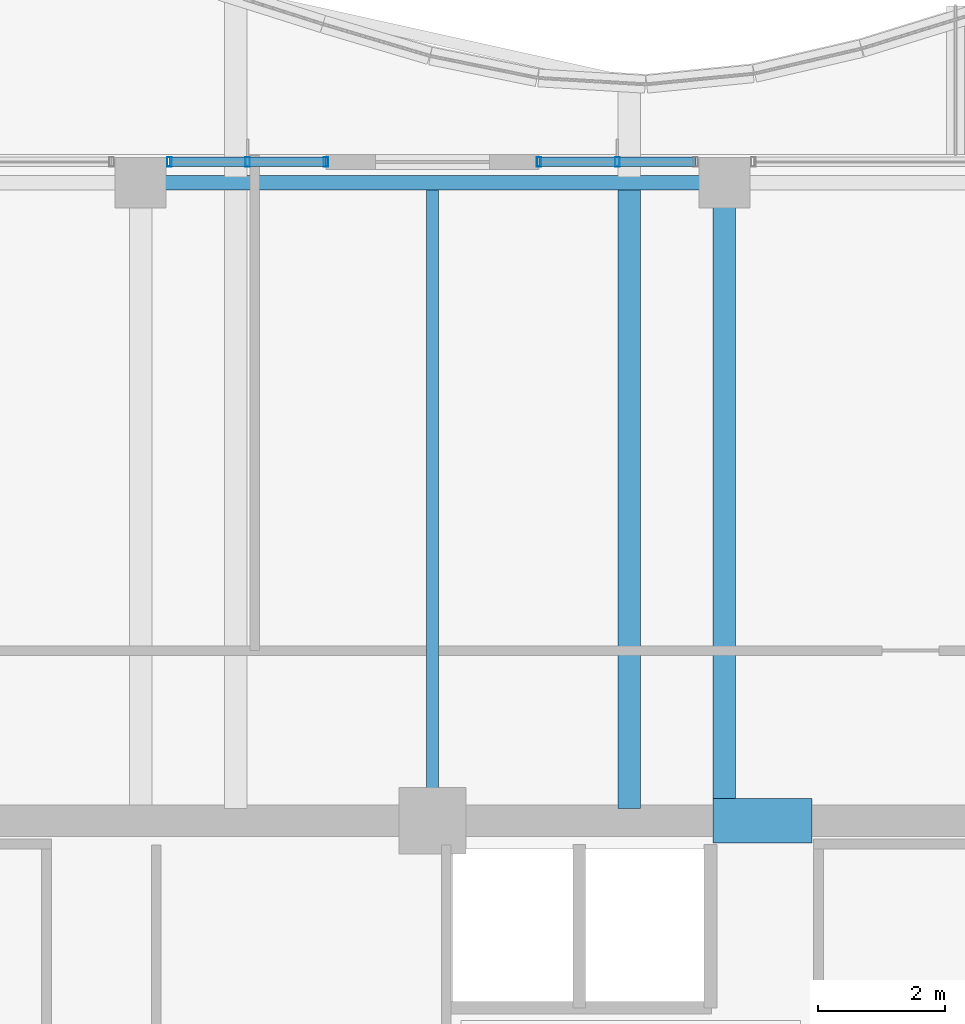
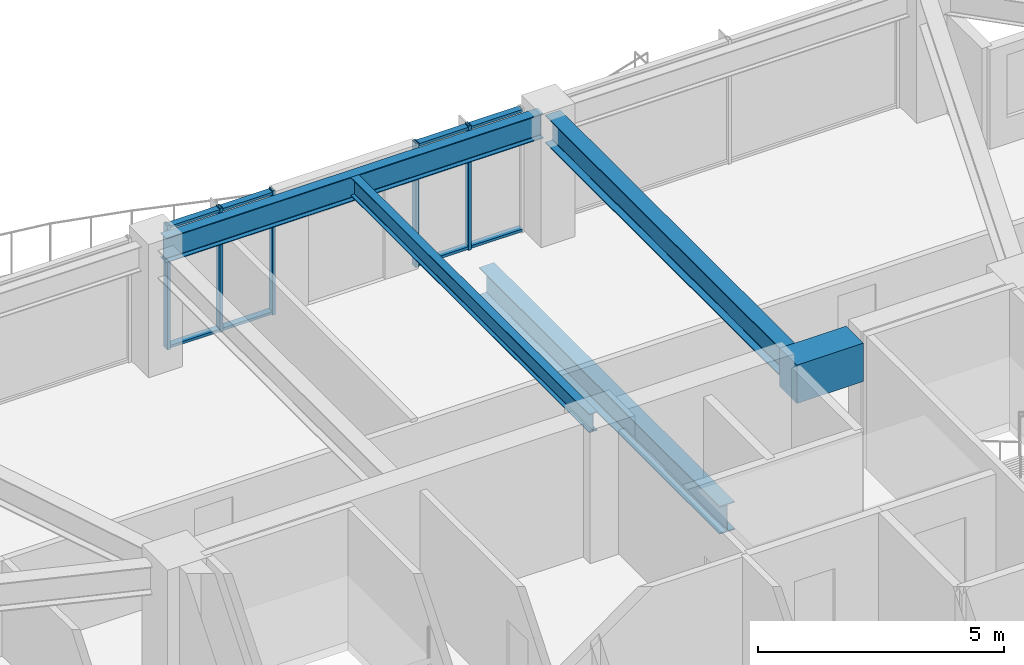
# One storey, part 17 of 36: 9 members, 5 beams, 2 elements without a shape of their own.
"""IFC4 building model written with IfcOpenShell, lengths in metres."""

from ifc_helpers import new_model, si_unit, direction, frame, origin, origin_2d, place, context, subcontext, project, spatial, rectangle, hollow_rectangle, i_section, extrude, material, material_profile, profile_set, type_object, element, aggregate, save


model = new_model("IFC4")

# Units and contexts
model_context = context("Model", 3, precision=1e-05, world=origin(), true_north=direction((0.0, 1.0)))
body_context = subcontext(model_context, "Body", "Model", "MODEL_VIEW")
ifc_project = project(units=[si_unit("LENGTHUNIT", "METRE"), si_unit("AREAUNIT", "SQUARE_METRE"), si_unit("VOLUMEUNIT", "CUBIC_METRE"), si_unit("PLANEANGLEUNIT", "RADIAN"), si_unit("MASSUNIT", "GRAM", prefix="KILO")], contexts=[model_context])

# Site, building, storey
site_placement = place(None, origin())
site = spatial("IfcSite", under=ifc_project, at=site_placement, CompositionType="ELEMENT")
building_placement = place(site_placement, origin())
building = spatial("IfcBuilding", under=site, at=building_placement, Name="Kolvaren Belvedere", CompositionType="ELEMENT")
storey_placement = place(building_placement, frame((0.0, 0.0, 193.199951171875)))
storey = spatial("IfcBuildingStorey", under=building, at=storey_placement, Name="L56", CompositionType="ELEMENT", Elevation=193.199951171875)

# Beams
ifc_material_1 = material(Name="Structural steel ASTM A992 Grade 50", Category="steel")
ifc_material_profile_1 = material_profile(ifc_material_1, i_section(OverallWidth=0.35498046875, OverallDepth=0.696044921875, WebThickness=0.015380859375, FlangeThickness=0.02490234375, FilletRadius=0.02197265625, at=origin_2d()), Name="W27X146")
ifc_profile_set_1 = profile_set([ifc_material_profile_1], Name="Structural steel ASTM A992 Grade 50")
beam_type_1 = type_object("IfcBeamType", Name="BM-GIRD-W27X146", PredefinedType="BEAM", material=ifc_profile_set_1)
beam_1_placement = place(storey_placement, frame((3.10009765625, 10.090087890625, -0.56787109375), z_axis=(0.0, 1.0, 0.0), x_axis=(-1.0, 0.0, 0.0)))
element("IfcBeam", 1, at=beam_1_placement, inside=storey, type_object=beam_type_1, Name="L56 Balcony Interior Back-Span Girder BAL-N-2", PredefinedType="BEAM", context=body_context, shape_type="SweptSolid", body=[
    extrude(i_section(OverallWidth=0.35498046875, OverallDepth=0.696044921875, WebThickness=0.015380859375, FlangeThickness=0.02490234375, FilletRadius=0.02197265625, at=origin_2d()), origin(), (0.0, 0.0, 1.0), 9.764892578125),
])
beam_2_placement = place(storey_placement, frame((4.60009765625, 10.14990234375, 2.73193359375), z_axis=(0.0, 1.0, 0.0), x_axis=(-1.0, 0.0, 0.0)))
element("IfcBeam", 2, at=beam_2_placement, inside=storey, type_object=beam_type_1, Name="L56 North Radial Girder P", PredefinedType="BEAM", context=body_context, shape_type="SweptSolid", body=[
    extrude(i_section(OverallWidth=0.35498046875, OverallDepth=0.696044921875, WebThickness=0.015380859375, FlangeThickness=0.02490234375, FilletRadius=0.02197265625, at=origin_2d()), origin(), (0.0, 0.0, 1.0), 9.6201171875),
])
ifc_material_2 = material(Name="Structural steel ASTM A992 Grade 50", Category="steel")
ifc_material_profile_2 = material_profile(ifc_material_2, i_section(OverallWidth=0.19091796875, OverallDepth=0.4599609375, WebThickness=0.010009765625, FlangeThickness=0.01611328125, FilletRadius=0.014892578125, at=origin_2d()), Name="W18X55")
ifc_profile_set_2 = profile_set([ifc_material_profile_2], Name="Structural steel ASTM A992 Grade 50")
beam_type_2 = type_object("IfcBeamType", Name="BM-JOIST-W18X55", PredefinedType="BEAM", material=ifc_profile_set_2)
beam_3_placement = place(storey_placement, frame((0.0, 10.14990234375, 2.85009765625), z_axis=(0.0, 1.0, 0.0), x_axis=(-1.0, 0.0, 0.0)))
element("IfcBeam", 3, at=beam_3_placement, inside=storey, type_object=beam_type_2, Name="L56 North Centre Floor Beam", PredefinedType="BEAM", context=body_context, shape_type="SweptSolid", body=[
    extrude(i_section(OverallWidth=0.19091796875, OverallDepth=0.4599609375, WebThickness=0.010009765625, FlangeThickness=0.01611328125, FilletRadius=0.014892578125, at=origin_2d()), origin(), (0.0, 0.0, 1.0), 9.685546875),
])
ifc_material_3 = material(Name="Concrete C60/75", Category="concrete")
ifc_material_profile_3 = material_profile(ifc_material_3, rectangle(XDim=0.699951171875, YDim=0.949951171875, at=origin_2d()), Name="RC 700X950")
ifc_profile_set_3 = profile_set([ifc_material_profile_3], Name="Concrete C60/75")
beam_type_3 = type_object("IfcBeamType", Name="BM-LINT-950", PredefinedType="LINTEL", material=ifc_profile_set_3)
beam_4_placement = place(storey_placement, frame((4.419921875, 9.89990234375, 2.60498046875), z_axis=(1.0, 0.0, 0.0), x_axis=(0.0, 1.0, 0.0)))
element("IfcBeam", 4, at=beam_4_placement, inside=storey, type_object=beam_type_3, Name="L56 North Core Coupling Lintel", PredefinedType="LINTEL", context=body_context, shape_type="SweptSolid", body=[
    extrude(rectangle(XDim=0.699951171875, YDim=0.949951171875, at=origin_2d()), origin(), (0.0, 0.0, 1.0), 1.56005859375),
])
ifc_material_4 = material(Name="Structural steel ASTM A992 Grade 50", Category="steel")
ifc_material_profile_4 = material_profile(ifc_material_4, i_section(OverallWidth=0.22900390625, OverallDepth=0.612060546875, WebThickness=0.011962890625, FlangeThickness=0.01953125, FilletRadius=0.01806640625, at=origin_2d()), Name="W24X84")
ifc_profile_set_4 = profile_set([ifc_material_profile_4], Name="Structural steel ASTM A992 Grade 50")
beam_type_4 = type_object("IfcBeamType", Name="BM-SPAN-W24X84", PredefinedType="SPANDREL", material=ifc_profile_set_4)
beam_5_placement = place(storey_placement, frame((4.419921875, 19.949951171875, 2.774169921875), z_axis=(-1.0, 0.0, 0.0), x_axis=(0.0, -1.0, 0.0)))
element("IfcBeam", 5, at=beam_5_placement, inside=storey, type_object=beam_type_4, Name="L56 Perimeter Spandrel N3-N2", PredefinedType="SPANDREL", context=body_context, shape_type="SweptSolid", body=[
    extrude(i_section(OverallWidth=0.22900390625, OverallDepth=0.612060546875, WebThickness=0.011962890625, FlangeThickness=0.01953125, FilletRadius=0.01806640625, at=origin_2d()), origin(), (0.0, 0.0, 1.0), 8.83984375),
])

# Curtain wall, members
ifc_material_5 = material(Name="Anodised pale-metal aluminium AA 6063-T6", Category="aluminium")
curtain_wall_type = type_object("IfcCurtainWallType", Name="CW-Z5-HIGH", PredefinedType="NOTDEFINED", material=ifc_material_5)
curtain_wall_1_placement = place(storey_placement, origin())
curtain_wall_1 = element("IfcCurtainWall", 6, at=curtain_wall_1_placement, inside=storey, type_object=curtain_wall_type, Name="L56 Unitised Curtain Wall FCW-L56-N1-B2", PredefinedType="NOTDEFINED")
ifc_material_6 = material(Name="Anodised pale-metal aluminium AA 6063-T6", Category="aluminium")
ifc_material_profile_5 = material_profile(ifc_material_6, hollow_rectangle(XDim=0.070068359375, YDim=0.14990234375, WallThickness=0.004150390625, at=origin_2d()), Name="ALU-MUL-150X70")
ifc_profile_set_5 = profile_set([ifc_material_profile_5], Name="Anodised pale-metal aluminium AA 6063-T6")
member_type_1 = type_object("IfcMemberType", Name="CW-MUL-150", PredefinedType="MULLION", material=ifc_profile_set_5)
member_1_placement = place(storey_placement, frame((-4.14501953125, 20.280029296875, 0.0), z_axis=(0.0, 0.0, 1.0), x_axis=(1.0, 0.0, 0.0)))
member_1 = element("IfcMember", 7, at=member_1_placement, type_object=member_type_1, Name="FCW-L56-N1-B2 Unitised Mullion 1", PredefinedType="MULLION", context=body_context, shape_type="SweptSolid", body=[
    extrude(hollow_rectangle(XDim=0.070068359375, YDim=0.14990234375, WallThickness=0.004150390625, at=origin_2d()), origin(), (0.0, 0.0, 1.0), 3.080078125),
])
member_2_placement = place(storey_placement, frame((-2.91259765625, 20.280029296875, 0.0), z_axis=(0.0, 0.0, 1.0), x_axis=(1.0, 0.0, 0.0)))
member_2 = element("IfcMember", 8, at=member_2_placement, type_object=member_type_1, Name="FCW-L56-N1-B2 Unitised Mullion 2", PredefinedType="MULLION", context=body_context, shape_type="SweptSolid", body=[
    extrude(hollow_rectangle(XDim=0.070068359375, YDim=0.14990234375, WallThickness=0.004150390625, at=origin_2d()), origin(), (0.0, 0.0, 1.0), 3.080078125),
])
member_3_placement = place(storey_placement, frame((-1.679931640625, 20.280029296875, 0.0), z_axis=(0.0, 0.0, 1.0), x_axis=(1.0, 0.0, 0.0)))
member_3 = element("IfcMember", 9, at=member_3_placement, type_object=member_type_1, Name="FCW-L56-N1-B2 Unitised Mullion 3", PredefinedType="MULLION", context=body_context, shape_type="SweptSolid", body=[
    extrude(hollow_rectangle(XDim=0.070068359375, YDim=0.14990234375, WallThickness=0.004150390625, at=origin_2d()), origin(), (0.0, 0.0, 1.0), 3.080078125),
])

curtain_wall_2_placement = place(storey_placement, origin())
curtain_wall_2 = element("IfcCurtainWall", 10, at=curtain_wall_2_placement, inside=storey, type_object=curtain_wall_type, Name="L56 Unitised Curtain Wall FCW-L56-N2-B1", PredefinedType="NOTDEFINED")
member_4_placement = place(storey_placement, frame((1.679931640625, 20.280029296875, 0.0), z_axis=(0.0, 0.0, 1.0), x_axis=(1.0, 0.0, 0.0)))
member_4 = element("IfcMember", 11, at=member_4_placement, type_object=member_type_1, Name="FCW-L56-N2-B1 Unitised Mullion 1", PredefinedType="MULLION", context=body_context, shape_type="SweptSolid", body=[
    extrude(hollow_rectangle(XDim=0.070068359375, YDim=0.14990234375, WallThickness=0.004150390625, at=origin_2d()), origin(), (0.0, 0.0, 1.0), 3.080078125),
])
member_5_placement = place(storey_placement, frame((2.91259765625, 20.280029296875, 0.0), z_axis=(0.0, 0.0, 1.0), x_axis=(1.0, 0.0, 0.0)))
member_5 = element("IfcMember", 12, at=member_5_placement, type_object=member_type_1, Name="FCW-L56-N2-B1 Unitised Mullion 2", PredefinedType="MULLION", context=body_context, shape_type="SweptSolid", body=[
    extrude(hollow_rectangle(XDim=0.070068359375, YDim=0.14990234375, WallThickness=0.004150390625, at=origin_2d()), origin(), (0.0, 0.0, 1.0), 3.080078125),
])

# Member
ifc_material_7 = material(Name="Anodised pale-metal aluminium AA 6063-T6", Category="aluminium")
ifc_material_profile_6 = material_profile(ifc_material_7, hollow_rectangle(XDim=0.06494140625, YDim=0.14990234375, WallThickness=0.00390625, at=origin_2d()), Name="ALU-TRN-150X65")
ifc_profile_set_6 = profile_set([ifc_material_profile_6], Name="Anodised pale-metal aluminium AA 6063-T6")
member_type_2 = type_object("IfcMemberType", Name="CW-TRN-150", PredefinedType="USERDEFINED", material=ifc_profile_set_6)
member_6_placement = place(storey_placement, frame((-4.14501953125, 20.280029296875, 0.06005859375), z_axis=(1.0, 0.0, 0.0), x_axis=(0.0, 0.0, 1.0)))
member_6 = element("IfcMember", 13, at=member_6_placement, type_object=member_type_2, Name="FCW-L56-N1-B2 Sill Transom", ObjectType="TRANSOM", PredefinedType="USERDEFINED", context=body_context, shape_type="SweptSolid", body=[
    extrude(hollow_rectangle(XDim=0.06494140625, YDim=0.14990234375, WallThickness=0.00390625, at=origin_2d()), origin(), (0.0, 0.0, 1.0), 2.465087890625),
])

member_7_placement = place(storey_placement, frame((-4.14501953125, 20.280029296875, 3.02001953125), z_axis=(1.0, 0.0, 0.0), x_axis=(0.0, 0.0, 1.0)))
member_7 = element("IfcMember", 14, at=member_7_placement, type_object=member_type_2, Name="FCW-L56-N1-B2 Head Transom", ObjectType="TRANSOM", PredefinedType="USERDEFINED", context=body_context, shape_type="SweptSolid", body=[
    extrude(hollow_rectangle(XDim=0.06494140625, YDim=0.14990234375, WallThickness=0.00390625, at=origin_2d()), origin(), (0.0, 0.0, 1.0), 2.465087890625),
])

aggregate(curtain_wall_1, [member_1, member_2, member_3, member_6, member_7])

member_8_placement = place(storey_placement, frame((1.679931640625, 20.280029296875, 0.06005859375), z_axis=(1.0, 0.0, 0.0), x_axis=(0.0, 0.0, 1.0)))
member_8 = element("IfcMember", 15, at=member_8_placement, type_object=member_type_2, Name="FCW-L56-N2-B1 Sill Transom", ObjectType="TRANSOM", PredefinedType="USERDEFINED", context=body_context, shape_type="SweptSolid", body=[
    extrude(hollow_rectangle(XDim=0.06494140625, YDim=0.14990234375, WallThickness=0.00390625, at=origin_2d()), origin(), (0.0, 0.0, 1.0), 2.465087890625),
])

member_9_placement = place(storey_placement, frame((1.679931640625, 20.280029296875, 3.02001953125), z_axis=(1.0, 0.0, 0.0), x_axis=(0.0, 0.0, 1.0)))
member_9 = element("IfcMember", 16, at=member_9_placement, type_object=member_type_2, Name="FCW-L56-N2-B1 Head Transom", ObjectType="TRANSOM", PredefinedType="USERDEFINED", context=body_context, shape_type="SweptSolid", body=[
    extrude(hollow_rectangle(XDim=0.06494140625, YDim=0.14990234375, WallThickness=0.00390625, at=origin_2d()), origin(), (0.0, 0.0, 1.0), 2.465087890625),
])

aggregate(curtain_wall_2, [member_4, member_5, member_8, member_9])

save(model, "model.ifc")
